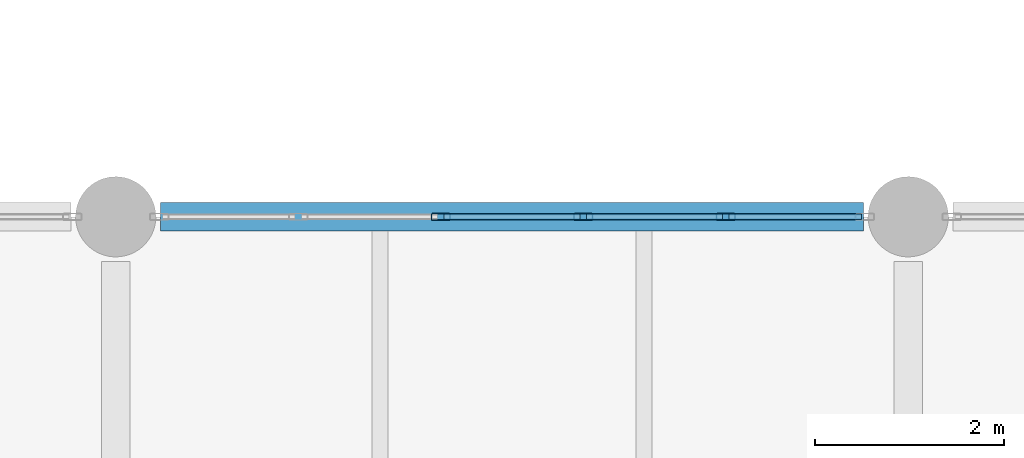
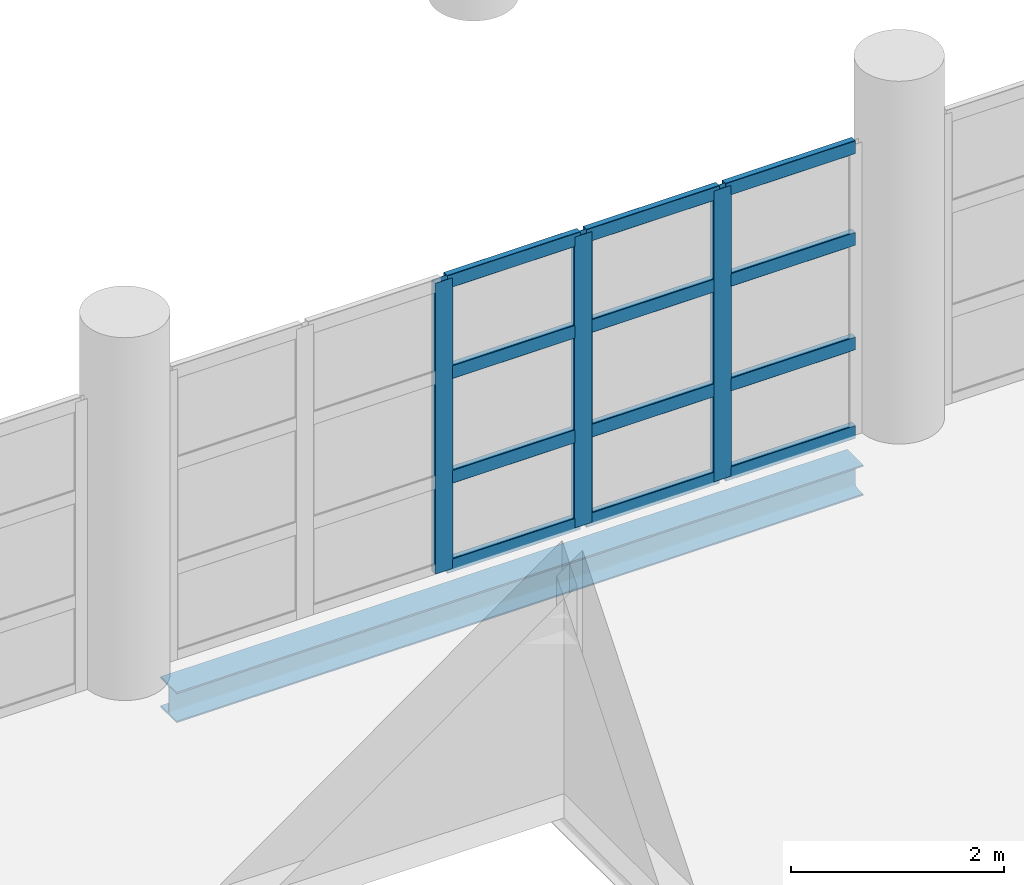
# One storey, part 73 of 177: 15 members, 1 beam, 1 element without a shape of its own.
"""IFC4 building model written with IfcOpenShell, lengths in metres."""

from ifc_helpers import new_model, si_unit, direction, frame, origin, origin_2d, place, context, subcontext, project, spatial, hollow_rectangle, i_section, extrude, material, layer, layer_set, material_profile, profile_set, type_object, element, aggregate, save


model = new_model("IFC4")

# Units and contexts
model_context = context("Model", 3, precision=1e-05, world=origin(), true_north=direction((0.0, 1.0)))
body_context = subcontext(model_context, "Body", "Model", "MODEL_VIEW")
ifc_project = project(units=[si_unit("LENGTHUNIT", "METRE"), si_unit("AREAUNIT", "SQUARE_METRE"), si_unit("VOLUMEUNIT", "CUBIC_METRE"), si_unit("PLANEANGLEUNIT", "RADIAN"), si_unit("MASSUNIT", "GRAM", prefix="KILO"), si_unit("THERMODYNAMICTEMPERATUREUNIT", "KELVIN"), si_unit("POWERUNIT", "WATT")], contexts=[model_context])

# Site, building, storey
site_placement = place(None, origin())
site = spatial("IfcSite", under=ifc_project, at=site_placement, CompositionType="ELEMENT")
building_placement = place(site_placement, origin())
building = spatial("IfcBuilding", under=site, at=building_placement, Name="Mavoryth Pier Ferry Terminal", CompositionType="ELEMENT")
storey_placement = place(building_placement, frame((0.0, 0.0, 5.43994140625)))
storey = spatial("IfcBuildingStorey", under=building, at=storey_placement, Name="L01", CompositionType="ELEMENT", Elevation=5.43994140625)

# Curtain wall, members
ifc_material_1 = material(Name="Anodised Aluminium and Solar-Control Low-E Glass", Category="aluminium")
ifc_layer = layer(ifc_material_1, 0.219970703125, Name="Anodised Aluminium and Solar-Control Low-E Glass", Category="aluminium")
ifc_layer_set = layer_set([ifc_layer], Name="Anodised Aluminium and Solar-Control Low-E Glass - CW-Seaward-Tall-Mod1400")
curtain_wall_type = type_object("IfcCurtainWallType", Name="CW-Seaward-Tall-Mod1400", PredefinedType="USERDEFINED", material=ifc_layer_set)
curtain_wall_placement = place(storey_placement, origin())
curtain_wall = element("IfcCurtainWall", 1, at=curtain_wall_placement, inside=storey, type_object=curtain_wall_type, Name="Curtain Wall CW-0144-040", ObjectType="UNITISED CURTAIN WALL", PredefinedType="USERDEFINED")
ifc_material_2 = material(Name="Anodised Aluminium EN AW-6063", Category="aluminium")
ifc_material_profile_1 = material_profile(ifc_material_2, hollow_rectangle(XDim=0.070068359375, YDim=0.199951171875, WallThickness=0.0048828125, InnerFilletRadius=0.0048828125, OuterFilletRadius=0.010009765625, at=origin_2d()), Name="AL-MULL 200x70x5", Category="aluminium")
ifc_profile_set_1 = profile_set([ifc_material_profile_1], Name="Anodised Aluminium EN AW-6063 - AL-MULL 200x70x5")
member_type_1 = type_object("IfcMemberType", Name="Mullion-Alum-200x70", PredefinedType="MULLION", material=ifc_profile_set_1)
member_1_placement = place(storey_placement, frame((14.864990234375, 106.0, 0.0), z_axis=(0.0, 0.0, 1.0), x_axis=(0.0, -1.0, 0.0)))
member_1 = element("IfcMember", 2, at=member_1_placement, type_object=member_type_1, Name="CW03 mullion 2", PredefinedType="MULLION", context=body_context, shape_type="SweptSolid", body=[
    extrude(hollow_rectangle(XDim=0.070068359375, YDim=0.199951171875, WallThickness=0.0048828125, InnerFilletRadius=0.0048828125, OuterFilletRadius=0.010009765625, at=origin_2d()), origin(), (0.0, 0.0, 1.0), 3.3349609375),
])
member_2_placement = place(storey_placement, frame((13.35498046875, 106.0, 0.0), z_axis=(0.0, 0.0, 1.0), x_axis=(0.0, -1.0, 0.0)))
member_2 = element("IfcMember", 3, at=member_2_placement, type_object=member_type_1, Name="CW03 mullion 3", PredefinedType="MULLION", context=body_context, shape_type="SweptSolid", body=[
    extrude(hollow_rectangle(XDim=0.070068359375, YDim=0.199951171875, WallThickness=0.0048828125, InnerFilletRadius=0.0048828125, OuterFilletRadius=0.010009765625, at=origin_2d()), origin(), (0.0, 0.0, 1.0), 3.3349609375),
])
member_3_placement = place(storey_placement, frame((11.844970703125, 106.0, 0.0), z_axis=(0.0, 0.0, 1.0), x_axis=(0.0, -1.0, 0.0)))
member_3 = element("IfcMember", 4, at=member_3_placement, type_object=member_type_1, Name="CW03 mullion 4", PredefinedType="MULLION", context=body_context, shape_type="SweptSolid", body=[
    extrude(hollow_rectangle(XDim=0.070068359375, YDim=0.199951171875, WallThickness=0.0048828125, InnerFilletRadius=0.0048828125, OuterFilletRadius=0.010009765625, at=origin_2d()), origin(), (0.0, 0.0, 1.0), 3.3349609375),
])

# Beam
ifc_material_3 = material(Name="Steel S355J2", Category="steel")
ifc_material_profile_2 = material_profile(ifc_material_3, i_section(OverallWidth=0.300048828125, OverallDepth=0.35009765625, WebThickness=0.010009765625, FlangeThickness=0.017578125, FilletRadius=0.027099609375, at=origin_2d()), Name="HEA 360", Category="steel")
ifc_profile_set_2 = profile_set([ifc_material_profile_2], Name="Steel S355J2 - HEA 360")
beam_type = type_object("IfcBeamType", Name="Spandrel-Steel-HEA360", PredefinedType="SPANDREL", material=ifc_profile_set_2)
beam_placement = place(storey_placement, frame((8.875, 106.0, -0.454833984375), z_axis=(1.0, 0.0, 0.0), x_axis=(0.0, 1.0, 0.0)))
element("IfcBeam", 5, at=beam_placement, inside=storey, type_object=beam_type, Name="Beam B01-SP03-0075", PredefinedType="SPANDREL", context=body_context, shape_type="SweptSolid", body=[
    extrude(i_section(OverallWidth=0.300048828125, OverallDepth=0.35009765625, WebThickness=0.010009765625, FlangeThickness=0.017578125, FilletRadius=0.027099609375, at=origin_2d()), origin(), (0.0, 0.0, 1.0), 7.449951171875),
])

# Member
ifc_material_profile_3 = material_profile(ifc_material_2, hollow_rectangle(XDim=0.070068359375, YDim=0.155029296875, WallThickness=0.00390625, InnerFilletRadius=0.00390625, OuterFilletRadius=0.008056640625, at=origin_2d()), Name="AL-TRAN 155x70x4", Category="aluminium")
ifc_profile_set_3 = profile_set([ifc_material_profile_3], Name="Anodised Aluminium EN AW-6063 - AL-TRAN 155x70x4")
member_type_2 = type_object("IfcMemberType", Name="Transom-Alum-155x70", PredefinedType="USERDEFINED", material=ifc_profile_set_3)
member_4_placement = place(storey_placement, frame((16.304931640625, 106.0, 0.03515625), z_axis=(-1.0, 0.0, 0.0), x_axis=(0.0, -1.0, 0.0)))
member_4 = element("IfcMember", 6, at=member_4_placement, type_object=member_type_2, Name="CW03 transom 1.1", ObjectType="TRANSOM", PredefinedType="USERDEFINED", context=body_context, shape_type="SweptSolid", body=[
    extrude(hollow_rectangle(XDim=0.070068359375, YDim=0.155029296875, WallThickness=0.00390625, InnerFilletRadius=0.00390625, OuterFilletRadius=0.008056640625, at=origin_2d()), origin(), (0.0, 0.0, 1.0), 1.405029296875),
])

member_5_placement = place(storey_placement, frame((16.304931640625, 106.0, 1.050048828125), z_axis=(-1.0, 0.0, 0.0), x_axis=(0.0, -1.0, 0.0)))
member_5 = element("IfcMember", 7, at=member_5_placement, type_object=member_type_2, Name="CW03 transom 1.2", ObjectType="TRANSOM", PredefinedType="USERDEFINED", context=body_context, shape_type="SweptSolid", body=[
    extrude(hollow_rectangle(XDim=0.070068359375, YDim=0.155029296875, WallThickness=0.00390625, InnerFilletRadius=0.00390625, OuterFilletRadius=0.008056640625, at=origin_2d()), origin(), (0.0, 0.0, 1.0), 1.405029296875),
])

member_6_placement = place(storey_placement, frame((16.304931640625, 106.0, 2.25), z_axis=(-1.0, 0.0, 0.0), x_axis=(0.0, -1.0, 0.0)))
member_6 = element("IfcMember", 8, at=member_6_placement, type_object=member_type_2, Name="CW03 transom 1.3", ObjectType="TRANSOM", PredefinedType="USERDEFINED", context=body_context, shape_type="SweptSolid", body=[
    extrude(hollow_rectangle(XDim=0.070068359375, YDim=0.155029296875, WallThickness=0.00390625, InnerFilletRadius=0.00390625, OuterFilletRadius=0.008056640625, at=origin_2d()), origin(), (0.0, 0.0, 1.0), 1.405029296875),
])

member_7_placement = place(storey_placement, frame((16.304931640625, 106.0, 3.300048828125), z_axis=(-1.0, 0.0, 0.0), x_axis=(0.0, -1.0, 0.0)))
member_7 = element("IfcMember", 9, at=member_7_placement, type_object=member_type_2, Name="CW03 transom 1.4", ObjectType="TRANSOM", PredefinedType="USERDEFINED", context=body_context, shape_type="SweptSolid", body=[
    extrude(hollow_rectangle(XDim=0.070068359375, YDim=0.155029296875, WallThickness=0.00390625, InnerFilletRadius=0.00390625, OuterFilletRadius=0.008056640625, at=origin_2d()), origin(), (0.0, 0.0, 1.0), 1.405029296875),
])

member_8_placement = place(storey_placement, frame((14.830078125, 106.0, 0.03515625), z_axis=(-1.0, 0.0, 0.0), x_axis=(0.0, -1.0, 0.0)))
member_8 = element("IfcMember", 10, at=member_8_placement, type_object=member_type_2, Name="CW03 transom 2.1", ObjectType="TRANSOM", PredefinedType="USERDEFINED", context=body_context, shape_type="SweptSolid", body=[
    extrude(hollow_rectangle(XDim=0.070068359375, YDim=0.155029296875, WallThickness=0.00390625, InnerFilletRadius=0.00390625, OuterFilletRadius=0.008056640625, at=origin_2d()), origin(), (0.0, 0.0, 1.0), 1.440185546875),
])

member_9_placement = place(storey_placement, frame((14.830078125, 106.0, 1.050048828125), z_axis=(-1.0, 0.0, 0.0), x_axis=(0.0, -1.0, 0.0)))
member_9 = element("IfcMember", 11, at=member_9_placement, type_object=member_type_2, Name="CW03 transom 2.2", ObjectType="TRANSOM", PredefinedType="USERDEFINED", context=body_context, shape_type="SweptSolid", body=[
    extrude(hollow_rectangle(XDim=0.070068359375, YDim=0.155029296875, WallThickness=0.00390625, InnerFilletRadius=0.00390625, OuterFilletRadius=0.008056640625, at=origin_2d()), origin(), (0.0, 0.0, 1.0), 1.440185546875),
])

member_10_placement = place(storey_placement, frame((14.830078125, 106.0, 2.25), z_axis=(-1.0, 0.0, 0.0), x_axis=(0.0, -1.0, 0.0)))
member_10 = element("IfcMember", 12, at=member_10_placement, type_object=member_type_2, Name="CW03 transom 2.3", ObjectType="TRANSOM", PredefinedType="USERDEFINED", context=body_context, shape_type="SweptSolid", body=[
    extrude(hollow_rectangle(XDim=0.070068359375, YDim=0.155029296875, WallThickness=0.00390625, InnerFilletRadius=0.00390625, OuterFilletRadius=0.008056640625, at=origin_2d()), origin(), (0.0, 0.0, 1.0), 1.440185546875),
])

member_11_placement = place(storey_placement, frame((14.830078125, 106.0, 3.300048828125), z_axis=(-1.0, 0.0, 0.0), x_axis=(0.0, -1.0, 0.0)))
member_11 = element("IfcMember", 13, at=member_11_placement, type_object=member_type_2, Name="CW03 transom 2.4", ObjectType="TRANSOM", PredefinedType="USERDEFINED", context=body_context, shape_type="SweptSolid", body=[
    extrude(hollow_rectangle(XDim=0.070068359375, YDim=0.155029296875, WallThickness=0.00390625, InnerFilletRadius=0.00390625, OuterFilletRadius=0.008056640625, at=origin_2d()), origin(), (0.0, 0.0, 1.0), 1.440185546875),
])

member_12_placement = place(storey_placement, frame((13.320068359375, 106.0, 0.03515625), z_axis=(-1.0, 0.0, 0.0), x_axis=(0.0, -1.0, 0.0)))
member_12 = element("IfcMember", 14, at=member_12_placement, type_object=member_type_2, Name="CW03 transom 3.1", ObjectType="TRANSOM", PredefinedType="USERDEFINED", context=body_context, shape_type="SweptSolid", body=[
    extrude(hollow_rectangle(XDim=0.070068359375, YDim=0.155029296875, WallThickness=0.00390625, InnerFilletRadius=0.00390625, OuterFilletRadius=0.008056640625, at=origin_2d()), origin(), (0.0, 0.0, 1.0), 1.440185546875),
])

member_13_placement = place(storey_placement, frame((13.320068359375, 106.0, 1.050048828125), z_axis=(-1.0, 0.0, 0.0), x_axis=(0.0, -1.0, 0.0)))
member_13 = element("IfcMember", 15, at=member_13_placement, type_object=member_type_2, Name="CW03 transom 3.2", ObjectType="TRANSOM", PredefinedType="USERDEFINED", context=body_context, shape_type="SweptSolid", body=[
    extrude(hollow_rectangle(XDim=0.070068359375, YDim=0.155029296875, WallThickness=0.00390625, InnerFilletRadius=0.00390625, OuterFilletRadius=0.008056640625, at=origin_2d()), origin(), (0.0, 0.0, 1.0), 1.440185546875),
])

member_14_placement = place(storey_placement, frame((13.320068359375, 106.0, 2.25), z_axis=(-1.0, 0.0, 0.0), x_axis=(0.0, -1.0, 0.0)))
member_14 = element("IfcMember", 16, at=member_14_placement, type_object=member_type_2, Name="CW03 transom 3.3", ObjectType="TRANSOM", PredefinedType="USERDEFINED", context=body_context, shape_type="SweptSolid", body=[
    extrude(hollow_rectangle(XDim=0.070068359375, YDim=0.155029296875, WallThickness=0.00390625, InnerFilletRadius=0.00390625, OuterFilletRadius=0.008056640625, at=origin_2d()), origin(), (0.0, 0.0, 1.0), 1.440185546875),
])

member_15_placement = place(storey_placement, frame((13.320068359375, 106.0, 3.300048828125), z_axis=(-1.0, 0.0, 0.0), x_axis=(0.0, -1.0, 0.0)))
member_15 = element("IfcMember", 17, at=member_15_placement, type_object=member_type_2, Name="CW03 transom 3.4", ObjectType="TRANSOM", PredefinedType="USERDEFINED", context=body_context, shape_type="SweptSolid", body=[
    extrude(hollow_rectangle(XDim=0.070068359375, YDim=0.155029296875, WallThickness=0.00390625, InnerFilletRadius=0.00390625, OuterFilletRadius=0.008056640625, at=origin_2d()), origin(), (0.0, 0.0, 1.0), 1.440185546875),
])

aggregate(curtain_wall, [member_1, member_2, member_3, member_4, member_5, member_6, member_7, member_8, member_9, member_10, member_11, member_12, member_13, member_14, member_15])

save(model, "model.ifc")
